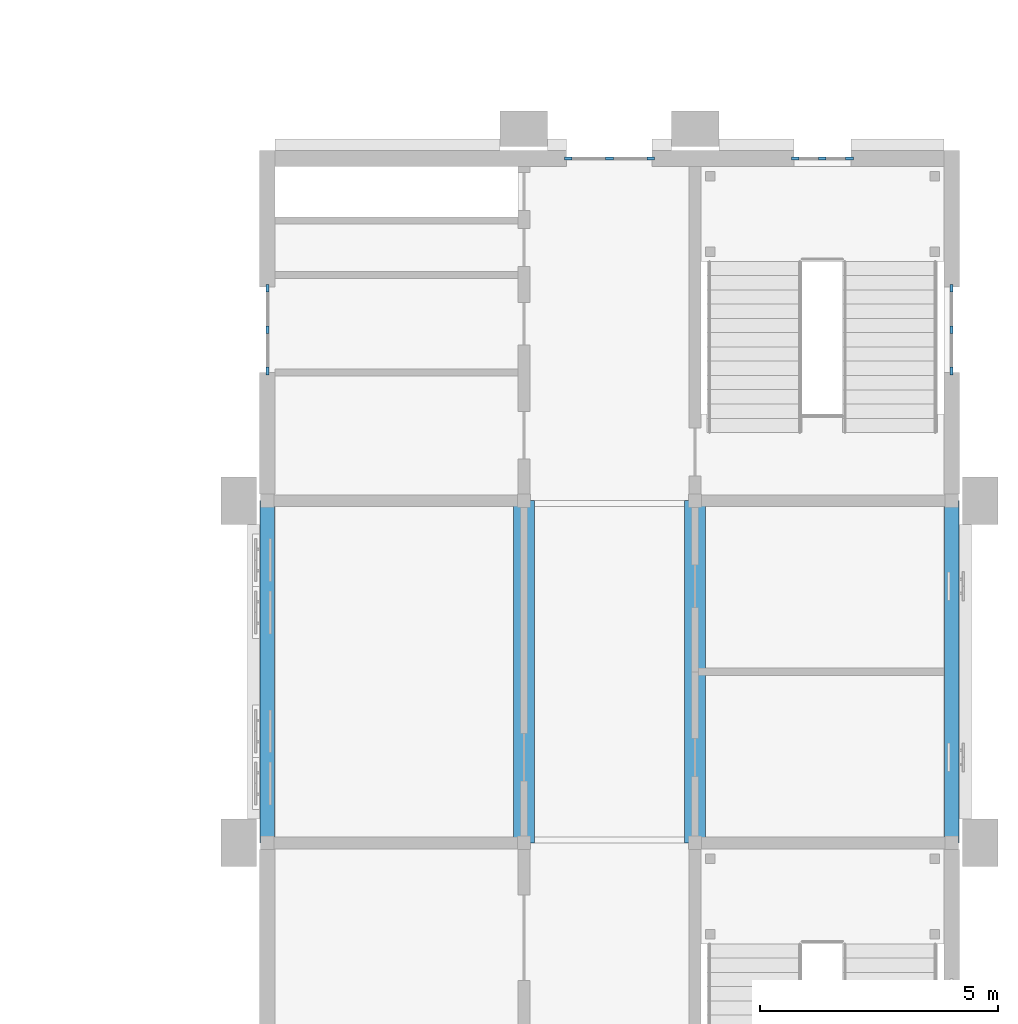
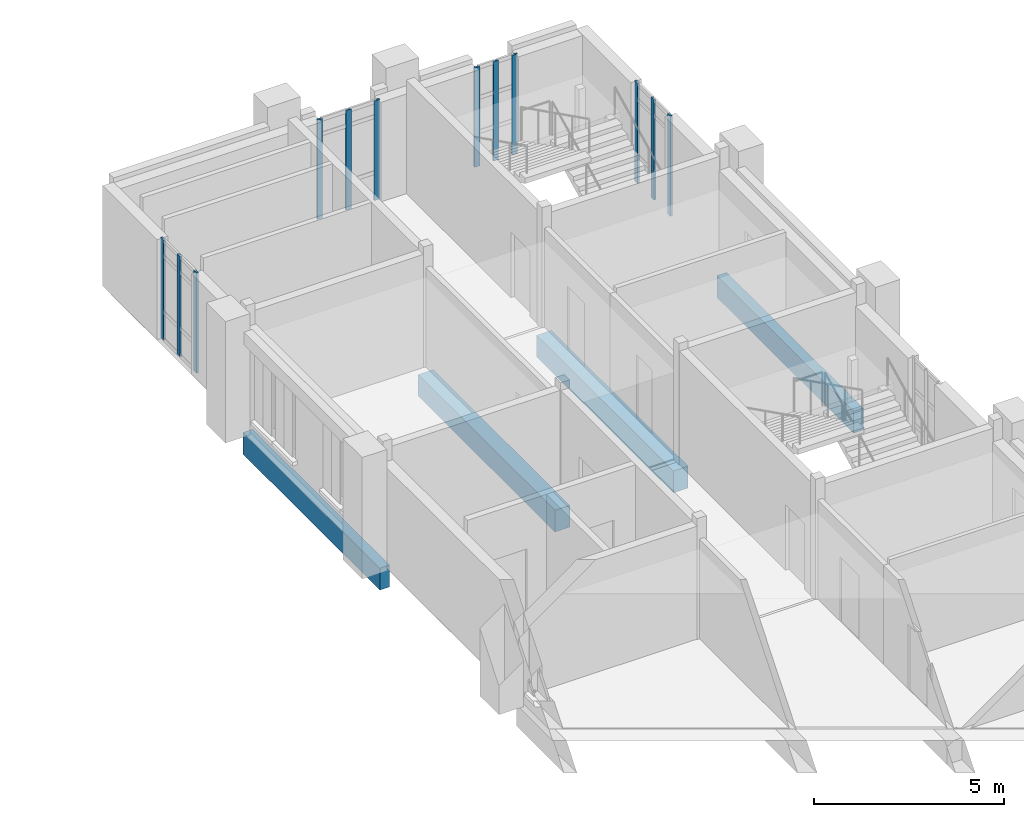
# One storey, part 20 of 69: 12 members, 4 beams, 4 elements without a shape of their own.
"""IFC4 building model written with IfcOpenShell, lengths in metres."""

from ifc_helpers import new_model, si_unit, direction, frame, origin, origin_2d, place, context, subcontext, project, spatial, rectangle, extrude, material, layer, layer_set, material_profile, profile_set, type_object, element, aggregate, save


model = new_model("IFC4")

# Units and contexts
model_context = context("Model", 3, precision=1e-05, world=origin(), true_north=direction((0.0, 1.0)))
body_context = subcontext(model_context, "Body", "Model", "MODEL_VIEW")
ifc_project = project(units=[si_unit("LENGTHUNIT", "METRE"), si_unit("AREAUNIT", "SQUARE_METRE"), si_unit("VOLUMEUNIT", "CUBIC_METRE"), si_unit("PLANEANGLEUNIT", "RADIAN"), si_unit("MASSUNIT", "GRAM", prefix="KILO")], contexts=[model_context])

# Site, building, storey
site_placement = place(None, origin())
site = spatial("IfcSite", under=ifc_project, at=site_placement, CompositionType="ELEMENT")
building_placement = place(site_placement, origin())
building = spatial("IfcBuilding", under=site, at=building_placement, Name="Mazhai Court Health Centre", CompositionType="ELEMENT")
storey_placement = place(building_placement, frame((0.0, 0.0, 6.300048828125)))
storey = spatial("IfcBuildingStorey", under=building, at=storey_placement, Name="L01", CompositionType="ELEMENT", Elevation=6.300048828125)

# Curtain wall, members
ifc_material_1 = material(Name="Teak timber frame, glazed", Category="wood")
ifc_layer_1 = layer(ifc_material_1, 0.10009765625)
ifc_layer_set_1 = layer_set([ifc_layer_1], Name="CURTAIN WALL TIMBER 900")
curtain_wall_type_1 = type_object("IfcCurtainWallType", Name="CURTAIN WALL TIMBER 900", PredefinedType="NOTDEFINED", material=ifc_layer_set_1)
curtain_wall_1_placement = place(storey_placement, origin())
curtain_wall_1 = element("IfcCurtainWall", 1, at=curtain_wall_1_placement, inside=storey, type_object=curtain_wall_type_1, Name="CW-V6-L01-A5", PredefinedType="NOTDEFINED")
ifc_material_2 = material(Name="Teak timber", Category="wood")
ifc_material_profile_1 = material_profile(ifc_material_2, rectangle(XDim=0.06005859375, YDim=0.159912109375, at=origin_2d()), Name="CW MULLION 60x160")
ifc_profile_set_1 = profile_set([ifc_material_profile_1], Name="Teak timber")
member_type = type_object("IfcMemberType", Name="CW MULLION 60x160", PredefinedType="MULLION", material=ifc_profile_set_1)
member_1_placement = place(storey_placement, frame((135.800048828125, 44.929931640625, 0.0), z_axis=(0.0, 0.0, 1.0), x_axis=(-1.0, 0.0, 0.0)))
member_1 = element("IfcMember", 2, at=member_1_placement, type_object=member_type, Name="CW mullion 1", PredefinedType="MULLION", context=body_context, shape_type="SweptSolid", body=[
    extrude(rectangle(XDim=0.06005859375, YDim=0.159912109375, at=origin_2d()), origin(), (0.0, 0.0, 1.0), 3.219970703125),
])
member_2_placement = place(storey_placement, frame((135.800048828125, 45.800048828125, 0.0), z_axis=(0.0, 0.0, 1.0), x_axis=(-1.0, 0.0, 0.0)))
member_2 = element("IfcMember", 3, at=member_2_placement, type_object=member_type, Name="CW mullion 2", PredefinedType="MULLION", context=body_context, shape_type="SweptSolid", body=[
    extrude(rectangle(XDim=0.06005859375, YDim=0.159912109375, at=origin_2d()), origin(), (0.0, 0.0, 1.0), 3.219970703125),
])
member_3_placement = place(storey_placement, frame((135.800048828125, 46.669921875, 0.0), z_axis=(0.0, 0.0, 1.0), x_axis=(-1.0, 0.0, 0.0)))
member_3 = element("IfcMember", 4, at=member_3_placement, type_object=member_type, Name="CW mullion 3", PredefinedType="MULLION", context=body_context, shape_type="SweptSolid", body=[
    extrude(rectangle(XDim=0.06005859375, YDim=0.159912109375, at=origin_2d()), origin(), (0.0, 0.0, 1.0), 3.219970703125),
])
aggregate(curtain_wall_1, [member_1, member_2, member_3])

curtain_wall_2_placement = place(storey_placement, origin())
curtain_wall_2 = element("IfcCurtainWall", 5, at=curtain_wall_2_placement, inside=storey, type_object=curtain_wall_type_1, Name="CW-V6-L01-B5", PredefinedType="NOTDEFINED")
member_4_placement = place(storey_placement, frame((150.199951171875, 46.669921875, 0.0), z_axis=(0.0, 0.0, 1.0), x_axis=(1.0, 0.0, 0.0)))
member_4 = element("IfcMember", 6, at=member_4_placement, type_object=member_type, Name="CW mullion 1", PredefinedType="MULLION", context=body_context, shape_type="SweptSolid", body=[
    extrude(rectangle(XDim=0.06005859375, YDim=0.159912109375, at=origin_2d()), origin(), (0.0, 0.0, 1.0), 3.219970703125),
])
member_5_placement = place(storey_placement, frame((150.199951171875, 45.800048828125, 0.0), z_axis=(0.0, 0.0, 1.0), x_axis=(1.0, 0.0, 0.0)))
member_5 = element("IfcMember", 7, at=member_5_placement, type_object=member_type, Name="CW mullion 2", PredefinedType="MULLION", context=body_context, shape_type="SweptSolid", body=[
    extrude(rectangle(XDim=0.06005859375, YDim=0.159912109375, at=origin_2d()), origin(), (0.0, 0.0, 1.0), 3.219970703125),
])
member_6_placement = place(storey_placement, frame((150.199951171875, 44.929931640625, 0.0), z_axis=(0.0, 0.0, 1.0), x_axis=(1.0, 0.0, 0.0)))
member_6 = element("IfcMember", 8, at=member_6_placement, type_object=member_type, Name="CW mullion 3", PredefinedType="MULLION", context=body_context, shape_type="SweptSolid", body=[
    extrude(rectangle(XDim=0.06005859375, YDim=0.159912109375, at=origin_2d()), origin(), (0.0, 0.0, 1.0), 3.219970703125),
])
aggregate(curtain_wall_2, [member_4, member_5, member_6])

curtain_wall_3_placement = place(storey_placement, origin())
curtain_wall_3 = element("IfcCurtainWall", 9, at=curtain_wall_3_placement, inside=storey, type_object=curtain_wall_type_1, Name="CW-V6-L01-ELIFT0", PredefinedType="NOTDEFINED")
member_7_placement = place(storey_placement, frame((142.1298828125, 49.39990234375, 0.0), z_axis=(0.0, 0.0, 1.0), x_axis=(0.0, 1.0, 0.0)))
member_7 = element("IfcMember", 10, at=member_7_placement, type_object=member_type, Name="CW mullion 1", PredefinedType="MULLION", context=body_context, shape_type="SweptSolid", body=[
    extrude(rectangle(XDim=0.06005859375, YDim=0.159912109375, at=origin_2d()), origin(), (0.0, 0.0, 1.0), 3.199951171875),
])
member_8_placement = place(storey_placement, frame((143.0, 49.39990234375, 0.0), z_axis=(0.0, 0.0, 1.0), x_axis=(0.0, 1.0, 0.0)))
member_8 = element("IfcMember", 11, at=member_8_placement, type_object=member_type, Name="CW mullion 2", PredefinedType="MULLION", context=body_context, shape_type="SweptSolid", body=[
    extrude(rectangle(XDim=0.06005859375, YDim=0.159912109375, at=origin_2d()), origin(), (0.0, 0.0, 1.0), 3.199951171875),
])
member_9_placement = place(storey_placement, frame((143.8701171875, 49.39990234375, 0.0), z_axis=(0.0, 0.0, 1.0), x_axis=(0.0, 1.0, 0.0)))
member_9 = element("IfcMember", 12, at=member_9_placement, type_object=member_type, Name="CW mullion 3", PredefinedType="MULLION", context=body_context, shape_type="SweptSolid", body=[
    extrude(rectangle(XDim=0.06005859375, YDim=0.159912109375, at=origin_2d()), origin(), (0.0, 0.0, 1.0), 3.199951171875),
])
aggregate(curtain_wall_3, [member_7, member_8, member_9])

ifc_material_3 = material(Name="Teak timber frame, glazed", Category="wood")
ifc_layer_2 = layer(ifc_material_3, 0.10009765625)
ifc_layer_set_2 = layer_set([ifc_layer_2], Name="CURTAIN WALL TIMBER 600")
curtain_wall_type_2 = type_object("IfcCurtainWallType", Name="CURTAIN WALL TIMBER 600", PredefinedType="NOTDEFINED", material=ifc_layer_set_2)
curtain_wall_4_placement = place(storey_placement, origin())
curtain_wall_4 = element("IfcCurtainWall", 13, at=curtain_wall_4_placement, inside=storey, type_object=curtain_wall_type_2, Name="CW-V6-L01-ESTAIR1", PredefinedType="NOTDEFINED")
member_10_placement = place(storey_placement, frame((146.909912109375, 49.39990234375, 0.0), z_axis=(0.0, 0.0, 1.0), x_axis=(0.0, 1.0, 0.0)))
member_10 = element("IfcMember", 14, at=member_10_placement, type_object=member_type, Name="CW mullion 1", PredefinedType="MULLION", context=body_context, shape_type="SweptSolid", body=[
    extrude(rectangle(XDim=0.06005859375, YDim=0.159912109375, at=origin_2d()), origin(), (0.0, 0.0, 1.0), 3.199951171875),
])
member_11_placement = place(storey_placement, frame((147.47998046875, 49.39990234375, 0.0), z_axis=(0.0, 0.0, 1.0), x_axis=(0.0, 1.0, 0.0)))
member_11 = element("IfcMember", 15, at=member_11_placement, type_object=member_type, Name="CW mullion 2", PredefinedType="MULLION", context=body_context, shape_type="SweptSolid", body=[
    extrude(rectangle(XDim=0.06005859375, YDim=0.159912109375, at=origin_2d()), origin(), (0.0, 0.0, 1.0), 3.199951171875),
])
member_12_placement = place(storey_placement, frame((148.050048828125, 49.39990234375, 0.0), z_axis=(0.0, 0.0, 1.0), x_axis=(0.0, 1.0, 0.0)))
member_12 = element("IfcMember", 16, at=member_12_placement, type_object=member_type, Name="CW mullion 3", PredefinedType="MULLION", context=body_context, shape_type="SweptSolid", body=[
    extrude(rectangle(XDim=0.06005859375, YDim=0.159912109375, at=origin_2d()), origin(), (0.0, 0.0, 1.0), 3.199951171875),
])
aggregate(curtain_wall_4, [member_10, member_11, member_12])

# Beams
ifc_material_4 = material(Name="Concrete M40", Category="concrete")
ifc_material_profile_2 = material_profile(ifc_material_4, rectangle(XDim=0.300048828125, YDim=0.699951171875, at=origin_2d()), Name="RC 300x700")
ifc_profile_set_2 = profile_set([ifc_material_profile_2], Name="Concrete M40")
beam_type_1 = type_object("IfcBeamType", Name="RC BEAM 300x700 M40", PredefinedType="BEAM", material=ifc_profile_set_2)
for number, where, z_axis, x_axis, name in (
    (17, (135.800048828125, 35.0, -0.60009765625), (0.0, 1.0, 0.0), (-1.0, 0.0, 0.0), "beam-V6-L01-135.8-35-135.8-42.2"),
    (18, (150.199951171875, 35.0, -0.60009765625), (0.0, 1.0, 0.0), (-1.0, 0.0, 0.0), "beam-V6-L01-150.2-35-150.2-42.2"),
):
    element("IfcBeam", number, at=place(storey_placement, frame(where, z_axis=z_axis, x_axis=x_axis)), inside=storey, type_object=beam_type_1, Name=name, PredefinedType="BEAM", context=body_context, shape_type="SweptSolid", body=[
        extrude(rectangle(XDim=0.300048828125, YDim=0.699951171875, at=origin_2d()), origin(), (0.0, 0.0, 1.0), 7.199951171875),
    ])
ifc_material_5 = material(Name="Concrete M40", Category="concrete")
ifc_material_profile_3 = material_profile(ifc_material_5, rectangle(XDim=0.449951171875, YDim=0.699951171875, at=origin_2d()), Name="RC 450x700")
ifc_profile_set_3 = profile_set([ifc_material_profile_3], Name="Concrete M40")
beam_type_2 = type_object("IfcBeamType", Name="RC BEAM 450x700 M40", PredefinedType="BEAM", material=ifc_profile_set_3)
for number, where, z_axis, x_axis, name in (
    (19, (141.199951171875, 35.0, -0.60009765625), (0.0, 1.0, 0.0), (-1.0, 0.0, 0.0), "beam-V6-L01-141.2-35-141.2-42.2"),
    (20, (144.800048828125, 35.0, -0.60009765625), (0.0, 1.0, 0.0), (-1.0, 0.0, 0.0), "beam-V6-L01-144.8-35-144.8-42.2"),
):
    element("IfcBeam", number, at=place(storey_placement, frame(where, z_axis=z_axis, x_axis=x_axis)), inside=storey, type_object=beam_type_2, Name=name, PredefinedType="BEAM", context=body_context, shape_type="SweptSolid", body=[
        extrude(rectangle(XDim=0.449951171875, YDim=0.699951171875, at=origin_2d()), origin(), (0.0, 0.0, 1.0), 7.199951171875),
    ])

save(model, "model.ifc")
